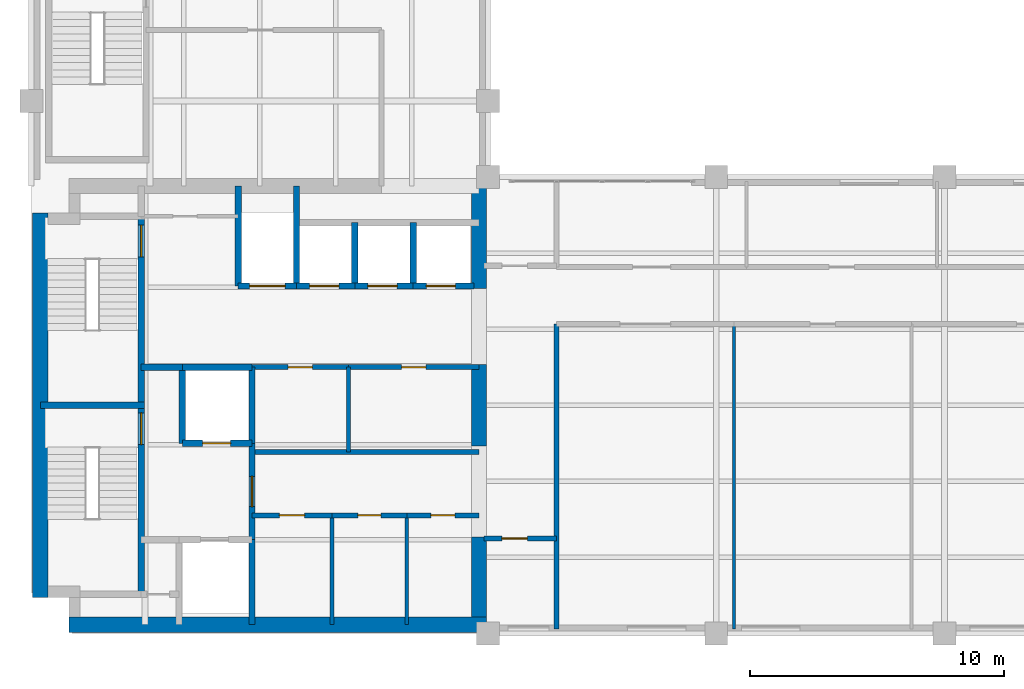
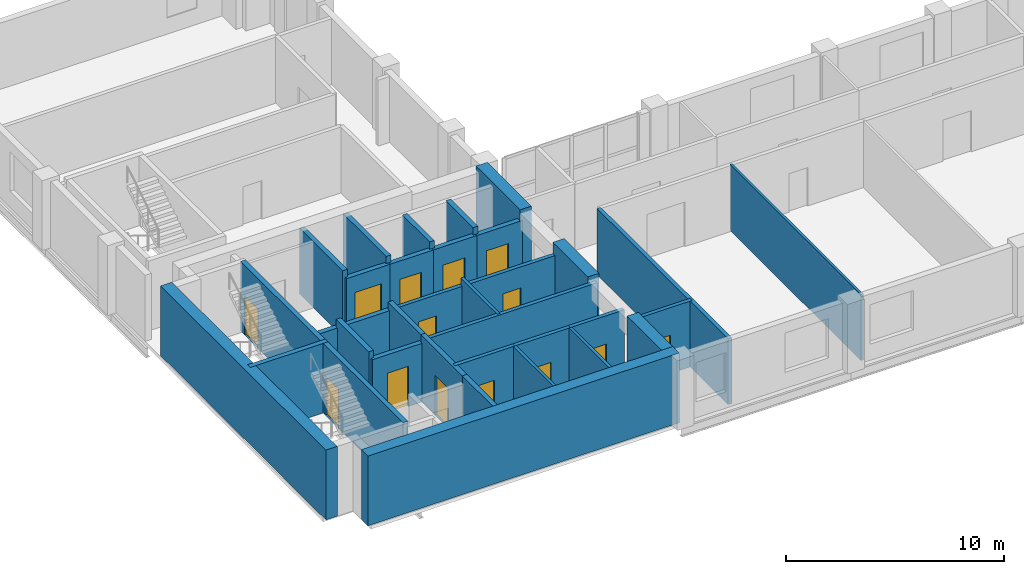
# One storey, part 4 of 7: 35 walls, 14 doors, 14 openings.
"""IFC4 building model written with IfcOpenShell, lengths in metres."""

import ifcopenshell
import ifcopenshell.guid

model = None  # the IFC model being written
_history = None  # IfcOwnerHistory: only IFC2X3 demands one
_inside = {}  # id of a spatial element -> (the spatial element, [elements in it])
_under = {}  # id of a project, library or spatial element -> (it, [spatial elements below it])
_declared = {}  # id of a project -> (the project, [libraries it declares])
_typed = {}  # id of a type object -> (the type object, [elements of that type])
_made_of = {}  # id of a material, layer set ... -> (it, [elements and type objects made of it])


def new_model(schema):
    """Start an empty IFC model of exactly this schema.

    Asked for "IFC4X3", IfcOpenShell would pick the latest addendum, in which some entities
    have other attributes; the version numbers below select the first issue.
    IFC2X3 requires an IfcOwnerHistory on every rooted entity: one is made here for all.
    """
    global model, _history
    if schema == "IFC4X3":
        model = ifcopenshell.file(schema_version=(4, 3, 0, 0))
    else:
        model = ifcopenshell.file(schema=schema)
    _inside.clear()
    _under.clear()
    _declared.clear()
    _typed.clear()
    _made_of.clear()
    _history = None
    if model.schema == "IFC2X3":
        org = make("IfcOrganization", Name="unknown")
        user = make(
            "IfcPersonAndOrganization",
            ThePerson=make("IfcPerson", FamilyName="unknown"),
            TheOrganization=org,
        )
        app = make(
            "IfcApplication",
            ApplicationDeveloper=org,
            Version="unknown",
            ApplicationFullName="unknown",
            ApplicationIdentifier="unknown",
        )
        _history = make(
            "IfcOwnerHistory",
            OwningUser=user,
            OwningApplication=app,
            ChangeAction="ADDED",
            CreationDate=0,
        )
    return model


def make(cls, **values):
    """One entity of the class cls with the attributes given. An attribute that is None is left unset."""
    return model.create_entity(
        cls, **{name: value for name, value in values.items() if value is not None}
    )


def rooted(cls, **values):
    """An entity with a GlobalId (a new one), such as an element, a storey or a relation."""
    return make(cls, GlobalId=ifcopenshell.guid.new(), OwnerHistory=_history, **values)


def si_unit(unit_type, name, prefix=None):
    """IfcSIUnit, for example si_unit("LENGTHUNIT", "METRE", prefix="MILLI")."""
    return make("IfcSIUnit", UnitType=unit_type, Prefix=prefix, Name=name)


def assignment(units):
    """IfcUnitAssignment: the units of a project."""
    return None if units is None else make("IfcUnitAssignment", Units=units)


def point(xyz):
    """IfcCartesianPoint."""
    return None if xyz is None else make("IfcCartesianPoint", Coordinates=xyz)


def direction(xyz):
    """IfcDirection."""
    return None if xyz is None else make("IfcDirection", DirectionRatios=xyz)


def frame(location, z_axis=None, x_axis=None):
    """IfcAxis2Placement3D, a coordinate frame: its origin and axes. An axis left out is left unset."""
    return make(
        "IfcAxis2Placement3D",
        Location=point(location),
        Axis=direction(z_axis),
        RefDirection=direction(x_axis),
    )


def frame_2d(location, x_axis=None):
    """IfcAxis2Placement2D, a coordinate frame in the plane: its origin and x axis."""
    return make(
        "IfcAxis2Placement2D", Location=point(location), RefDirection=direction(x_axis)
    )


def origin():
    """The frame at (0, 0, 0) with its axes left unset."""
    return frame((0.0, 0.0, 0.0))


def place(relative_to, where):
    """IfcLocalPlacement: puts the frame where relative to a parent placement (None: the world)."""
    return make(
        "IfcLocalPlacement", PlacementRelTo=relative_to, RelativePlacement=where
    )


def context(
    kind, dimensions, precision=None, world=None, true_north=None, identifier=None
):
    """IfcGeometricRepresentationContext, for example the 3D "Model" context."""
    return make(
        "IfcGeometricRepresentationContext",
        ContextIdentifier=identifier,
        ContextType=kind,
        CoordinateSpaceDimension=dimensions,
        Precision=precision,
        WorldCoordinateSystem=world,
        TrueNorth=true_north,
    )


def subcontext(parent, identifier, kind, view, scale=None):
    """IfcGeometricRepresentationSubContext, for example "Body" below "Model"."""
    return make(
        "IfcGeometricRepresentationSubContext",
        ContextIdentifier=identifier,
        ContextType=kind,
        ParentContext=parent,
        TargetScale=scale,
        TargetView=view,
    )


def project(units=None, contexts=None):
    """IfcProject with its units and contexts."""
    return rooted(
        "IfcProject",
        Name="project",
        RepresentationContexts=contexts,
        UnitsInContext=assignment(units),
    )


def spatial(cls, under=None, at=None, **own):
    """A site, building, storey or space (cls), placed at a placement, below another one or the project."""
    s = rooted(cls, ObjectPlacement=at, **own)
    if under is not None:
        _under.setdefault(under.id(), (under, []))[1].append(s)
    return s


def profile(cls, at=None, kind="AREA", **sizes):
    """A parametric profile (cls). Its sizes go by their IFC names, for example OverallWidth=200.0."""
    return make(cls, ProfileType=kind, Position=at, **sizes)


def rectangle(**sizes):
    """IfcRectangleProfileDef."""
    return profile("IfcRectangleProfileDef", **sizes)


def extrude(swept, where, along, depth):
    """IfcExtrudedAreaSolid: the profile swept, set in the frame where, extruded along a direction by depth."""
    return make(
        "IfcExtrudedAreaSolid",
        SweptArea=swept,
        Position=where,
        ExtrudedDirection=direction(along),
        Depth=depth,
    )


def shape(context_of_items, identifier, shape_type, items):
    """IfcShapeRepresentation: the items that make up one representation, for example the "Body"."""
    return make(
        "IfcShapeRepresentation",
        ContextOfItems=context_of_items,
        RepresentationIdentifier=identifier,
        RepresentationType=shape_type,
        Items=items,
    )


def material(Name=None, Category=None):
    """IfcMaterial."""
    return make("IfcMaterial", Name=Name, Category=Category)


def layer(
    of_material, thickness, ventilated=None, Name=None, Category=None, Priority=None
):
    """IfcMaterialLayer: one layer of a wall or slab, of a material (None: an air gap)."""
    return make(
        "IfcMaterialLayer",
        Material=of_material,
        LayerThickness=thickness,
        IsVentilated=ventilated,
        Name=Name,
        Category=Category,
        Priority=Priority,
    )


def layer_set(layers, Name=None):
    """IfcMaterialLayerSet."""
    return make("IfcMaterialLayerSet", MaterialLayers=layers, LayerSetName=Name)


def made_of(thing, what):
    """Note that an element or type object is made of a material, layer set ...; save() writes the relation."""
    if what is not None:
        _made_of.setdefault(what.id(), (what, []))[1].append(thing)
    return thing


def type_object(cls, material=None, **own):
    """A type object (cls), such as IfcWallType, which elements share."""
    return made_of(rooted(cls, **own), material)


def element(
    cls,
    number,
    at=None,
    inside=None,
    cuts=None,
    type_object=None,
    material=None,
    context=None,
    identifier="Body",
    shape_type=None,
    held_by="IfcProductDefinitionShape",
    body=None,
    shapes=None,
    **own,
):
    """One element of the class cls, such as IfcWall. Its Tag is "e" and its number.

    at: its placement. inside: the storey or other place that contains it. cuts: it is an
    opening in that element (IfcRelVoidsElement). A single representation is given by context,
    identifier, shape_type and body (its items); several are given by shapes. held_by: the class
    of the entity that holds the representations. save() writes the other relations.
    """
    e = rooted(cls, Tag="e%d" % number, ObjectPlacement=at, **own)
    if body is not None:
        shapes = [shape(context, identifier, shape_type, body)]
    if shapes is not None:
        e.Representation = make(held_by, Representations=shapes)
    if inside is not None:
        _inside.setdefault(inside.id(), (inside, []))[1].append(e)
    if cuts is not None:
        rooted(
            "IfcRelVoidsElement", RelatingBuildingElement=cuts, RelatedOpeningElement=e
        )
    if type_object is not None:
        _typed.setdefault(type_object.id(), (type_object, []))[1].append(e)
    return made_of(e, material)


def fill(opening, filler):
    """IfcRelFillsElement: the door or window that sits in an opening."""
    return rooted(
        "IfcRelFillsElement",
        RelatingOpeningElement=opening,
        RelatedBuildingElement=filler,
    )


def aggregate(whole, parts):
    """IfcRelAggregates: a whole, such as a stair, and the parts it consists of."""
    return rooted("IfcRelAggregates", RelatingObject=whole, RelatedObjects=parts)


def save(model, path):
    """Write the relations noted so far, then the file.

    IfcRelAggregates (storeys below a building ...), IfcRelContainedInSpatialStructure (elements
    in a storey), IfcRelDefinesByType, IfcRelAssociatesMaterial and IfcRelDeclares: one each for
    every whole, place, type object, material and project.
    """
    for whole, parts in _under.values():
        aggregate(whole, parts)
    for where, things in _inside.values():
        rooted(
            "IfcRelContainedInSpatialStructure",
            RelatedElements=things,
            RelatingStructure=where,
        )
    for kind, things in _typed.values():
        rooted("IfcRelDefinesByType", RelatedObjects=things, RelatingType=kind)
    for what, things in _made_of.values():
        rooted("IfcRelAssociatesMaterial", RelatedObjects=things, RelatingMaterial=what)
    for by, libraries in _declared.values():
        rooted("IfcRelDeclares", RelatingContext=by, RelatedDefinitions=libraries)
    model.write(path)


model = new_model("IFC4")

# Units and contexts
model_context = context("Model", 3, precision=1e-05, world=origin(), true_north=direction((0.0, 1.0)))
body_context = subcontext(model_context, "Body", "Model", "MODEL_VIEW")
ifc_project = project(units=[si_unit("LENGTHUNIT", "METRE"), si_unit("AREAUNIT", "SQUARE_METRE"), si_unit("VOLUMEUNIT", "CUBIC_METRE"), si_unit("PLANEANGLEUNIT", "RADIAN"), si_unit("MASSUNIT", "GRAM", prefix="KILO")], contexts=[model_context])

# Site, building, storey
site_placement = place(None, origin())
site = spatial("IfcSite", under=ifc_project, at=site_placement, CompositionType="ELEMENT")
building_placement = place(site_placement, origin())
building = spatial("IfcBuilding", under=site, at=building_placement, Name="Mawjdan Bourse Tower", CompositionType="ELEMENT")
storey_placement = place(building_placement, frame((0.0, 0.0, 203.39990234375)))
storey = spatial("IfcBuildingStorey", under=building, at=storey_placement, Name="L49", CompositionType="ELEMENT", Elevation=203.39990234375)

# Wall, opening, door
ifc_material_1 = material(Name="Gypsum Fireboard Assembly")
ifc_layer_1 = layer(ifc_material_1, 0.199951171875)
ifc_layer_set_1 = layer_set([ifc_layer_1], Name="Gypsum Fireboard Assembly")
wall_type_1 = type_object("IfcWallType", Name="WL-CMP-200", PredefinedType="PARTITIONING", material=ifc_layer_set_1)
wall_1_placement = place(storey_placement, frame((14.699951171875, 7.659912109375, 0.0), z_axis=(0.0, 0.0, 1.0), x_axis=(1.0, 0.0, 0.0)))
wall_1 = element("IfcWall", 1, at=wall_1_placement, inside=storey, type_object=wall_type_1, Name="L49 Prayer & Quiet Reflection Room North Wall", PredefinedType="PARTITIONING", context=body_context, shape_type="SweptSolid", body=[
    extrude(rectangle(XDim=3.150146484375, YDim=0.199951171875, at=frame_2d((1.5751953125, 0.0))), origin(), (0.0, 0.0, 1.0), 3.690185546875),
])
opening_1_placement = place(wall_1_placement, frame((1.074951171875, 0.0, 0.0)))
opening_1 = element("IfcOpeningElement", 2, at=opening_1_placement, cuts=wall_1, Name="Opening D-L49-13", PredefinedType="OPENING", context=body_context, shape_type="SweptSolid", body=[
    extrude(rectangle(XDim=1.0, YDim=2.14990234375, at=frame_2d((0.5, 1.074951171875))), frame((0.0, 0.10986328125, 0.0), z_axis=(0.0, -1.0, 0.0), x_axis=(1.0, 0.0, 0.0)), (0.0, 0.0, 1.0), 0.219970703125),
])
ifc_material_2 = material(Name="Hardwood Acoustic Leaf", Category="wood")
door_type_1 = type_object("IfcDoorType", Name="DR-OFC-1000", OperationType="NOTDEFINED", PredefinedType="DOOR", material=ifc_material_2)
door_1_placement = place(opening_1_placement, origin())
door_1 = element("IfcDoor", 3, at=door_1_placement, inside=storey, type_object=door_type_1, Name="L49 Prayer & Quiet Reflection Room Door D-L49-13", OperationType="SINGLE_SWING_RIGHT", OverallHeight=2.14990234375, OverallWidth=1.0, PredefinedType="DOOR", context=body_context, shape_type="SweptSolid", body=[
    extrude(rectangle(XDim=1.0, YDim=2.14990234375, at=frame_2d((0.5, 1.074951171875))), frame((0.0, 0.02490234375, 0.0), z_axis=(0.0, -1.0, 0.0), x_axis=(1.0, 0.0, 0.0)), (0.0, 0.0, 1.0), 0.050048828125),
])
fill(opening_1, door_1)

wall_2_placement = place(storey_placement, frame((17.85009765625, 7.659912109375, 0.0), z_axis=(0.0, 0.0, 1.0), x_axis=(1.0, 0.0, 0.0)))
wall_2 = element("IfcWall", 4, at=wall_2_placement, inside=storey, type_object=wall_type_1, Name="L49 Electrical Switchboard Room North Wall", PredefinedType="PARTITIONING", context=body_context, shape_type="SweptSolid", body=[
    extrude(rectangle(XDim=2.949951171875, YDim=0.199951171875, at=frame_2d((1.47509765625, 0.0))), origin(), (0.0, 0.0, 1.0), 3.690185546875),
])
opening_2_placement = place(wall_2_placement, frame((1.02490234375, 0.0, 0.0)))
opening_2 = element("IfcOpeningElement", 5, at=opening_2_placement, cuts=wall_2, Name="Opening D-L49-14", PredefinedType="OPENING", context=body_context, shape_type="SweptSolid", body=[
    extrude(rectangle(XDim=0.89990234375, YDim=2.10009765625, at=frame_2d((0.449951171875, 1.050048828125))), frame((0.0, 0.10986328125, 0.0), z_axis=(0.0, -1.0, 0.0), x_axis=(1.0, 0.0, 0.0)), (0.0, 0.0, 1.0), 0.219970703125),
])
ifc_material_3 = material(Name="Fire-Rated Steel Access Leaf", Category="steel")
door_type_2 = type_object("IfcDoorType", Name="FD-RSR-0900", OperationType="NOTDEFINED", PredefinedType="TRAPDOOR", material=ifc_material_3)
door_2_placement = place(opening_2_placement, origin())
door_2 = element("IfcDoor", 6, at=door_2_placement, inside=storey, type_object=door_type_2, Name="L49 Electrical Switchboard Room Door D-L49-14", OperationType="SINGLE_SWING_LEFT", OverallHeight=2.10009765625, OverallWidth=0.89990234375, PredefinedType="TRAPDOOR", context=body_context, shape_type="SweptSolid", body=[
    extrude(rectangle(XDim=0.89990234375, YDim=2.10009765625, at=frame_2d((0.449951171875, 1.050048828125))), frame((0.0, 0.02490234375, 0.0), z_axis=(0.0, -1.0, 0.0), x_axis=(1.0, 0.0, 0.0)), (0.0, 0.0, 1.0), 0.050048828125),
])
fill(opening_2, door_2)

wall_3_placement = place(storey_placement, frame((20.800048828125, 7.659912109375, 0.0), z_axis=(0.0, 0.0, 1.0), x_axis=(1.0, 0.0, 0.0)))
wall_3 = element("IfcWall", 7, at=wall_3_placement, inside=storey, type_object=wall_type_1, Name="L49 Staff Beverage Pantry North Wall", PredefinedType="PARTITIONING", context=body_context, shape_type="SweptSolid", body=[
    extrude(rectangle(XDim=2.849853515625, YDim=0.199951171875, at=frame_2d((1.4248046875, 0.0))), origin(), (0.0, 0.0, 1.0), 3.690185546875),
])
opening_3_placement = place(wall_3_placement, frame((0.949951171875, 0.0, 0.0)))
opening_3 = element("IfcOpeningElement", 8, at=opening_3_placement, cuts=wall_3, Name="Opening D-L49-15", PredefinedType="OPENING", context=body_context, shape_type="SweptSolid", body=[
    extrude(rectangle(XDim=0.949951171875, YDim=2.10009765625, at=frame_2d((0.47509765625, 1.050048828125))), frame((0.0, 0.10986328125, 0.0), z_axis=(0.0, -1.0, 0.0), x_axis=(1.0, 0.0, 0.0)), (0.0, 0.0, 1.0), 0.219970703125),
])
ifc_material_4 = material(Name="Moisture-Resistant Laminate Timber", Category="wood")
door_type_3 = type_object("IfcDoorType", Name="DR-WET-0950", OperationType="NOTDEFINED", PredefinedType="DOOR", material=ifc_material_4)
door_3_placement = place(opening_3_placement, origin())
door_3 = element("IfcDoor", 9, at=door_3_placement, inside=storey, type_object=door_type_3, Name="L49 Staff Beverage Pantry Door D-L49-15", OperationType="SINGLE_SWING_RIGHT", OverallHeight=2.10009765625, OverallWidth=0.949951171875, PredefinedType="DOOR", context=body_context, shape_type="SweptSolid", body=[
    extrude(rectangle(XDim=0.949951171875, YDim=2.10009765625, at=frame_2d((0.47509765625, 1.050048828125))), frame((0.0, 0.02490234375, 0.0), z_axis=(0.0, -1.0, 0.0), x_axis=(1.0, 0.0, 0.0)), (0.0, 0.0, 1.0), 0.050048828125),
])
fill(opening_3, door_3)

# Wall
wall_4_placement = place(storey_placement, frame((14.824951171875, 10.14990234375, 0.0), z_axis=(0.0, 0.0, 1.0), x_axis=(1.0, 0.0, 0.0)))
element("IfcWall", 10, at=wall_4_placement, inside=storey, type_object=wall_type_1, Name="L49 Core Restroom Suite South Wall", PredefinedType="PARTITIONING", context=body_context, shape_type="SweptSolid", body=[
    extrude(rectangle(XDim=8.824951171875, YDim=0.199951171875, at=frame_2d((4.41259765625, 0.0))), origin(), (0.0, 0.0, 1.0), 3.690185546875),
])

# Wall, opening, door
wall_5_placement = place(storey_placement, frame((14.699951171875, 13.5, 0.0), z_axis=(0.0, 0.0, 1.0), x_axis=(1.0, 0.0, 0.0)))
wall_5 = element("IfcWall", 11, at=wall_5_placement, inside=storey, type_object=wall_type_1, Name="L49 Accessible WC North Wall", PredefinedType="PARTITIONING", context=body_context, shape_type="SweptSolid", body=[
    extrude(rectangle(XDim=3.800048828125, YDim=0.199951171875, at=frame_2d((1.89990234375, 0.0))), origin(), (0.0, 0.0, 1.0), 3.283203125),
])
opening_4_placement = place(wall_5_placement, frame((1.425048828125, 0.0, 0.0)))
opening_4 = element("IfcOpeningElement", 12, at=opening_4_placement, cuts=wall_5, Name="Opening D-L49-16", PredefinedType="OPENING", context=body_context, shape_type="SweptSolid", body=[
    extrude(rectangle(XDim=0.949951171875, YDim=2.10009765625, at=frame_2d((0.47509765625, 1.050048828125))), frame((0.0, 0.10986328125, 0.0), z_axis=(0.0, -1.0, 0.0), x_axis=(1.0, 0.0, 0.0)), (0.0, 0.0, 1.0), 0.219970703125),
])
door_4_placement = place(opening_4_placement, origin())
door_4 = element("IfcDoor", 13, at=door_4_placement, inside=storey, type_object=door_type_3, Name="L49 Accessible WC Door D-L49-16", OperationType="SINGLE_SWING_LEFT", OverallHeight=2.10009765625, OverallWidth=0.949951171875, PredefinedType="DOOR", context=body_context, shape_type="SweptSolid", body=[
    extrude(rectangle(XDim=0.949951171875, YDim=2.10009765625, at=frame_2d((0.47509765625, 1.050048828125))), frame((0.0, 0.02490234375, 0.0), z_axis=(0.0, -1.0, 0.0), x_axis=(1.0, 0.0, 0.0)), (0.0, 0.0, 1.0), 0.050048828125),
])
fill(opening_4, door_4)

wall_6_placement = place(storey_placement, frame((18.5, 13.5, 0.0), z_axis=(0.0, 0.0, 1.0), x_axis=(1.0, 0.0, 0.0)))
wall_6 = element("IfcWall", 14, at=wall_6_placement, inside=storey, type_object=wall_type_1, Name="L49 Female Restroom North Wall", PredefinedType="PARTITIONING", context=body_context, shape_type="SweptSolid", body=[
    extrude(rectangle(XDim=5.14990234375, YDim=0.199951171875, at=frame_2d((2.574951171875, 0.0))), origin(), (0.0, 0.0, 1.0), 3.283203125),
])
opening_5_placement = place(wall_6_placement, frame((2.10009765625, 0.0, 0.0)))
opening_5 = element("IfcOpeningElement", 15, at=opening_5_placement, cuts=wall_6, Name="Opening D-L49-17", PredefinedType="OPENING", context=body_context, shape_type="SweptSolid", body=[
    extrude(rectangle(XDim=0.949951171875, YDim=2.10009765625, at=frame_2d((0.47509765625, 1.050048828125))), frame((0.0, 0.10986328125, 0.0), z_axis=(0.0, -1.0, 0.0), x_axis=(1.0, 0.0, 0.0)), (0.0, 0.0, 1.0), 0.219970703125),
])
door_5_placement = place(opening_5_placement, origin())
door_5 = element("IfcDoor", 16, at=door_5_placement, inside=storey, type_object=door_type_3, Name="L49 Female Restroom Door D-L49-17", OperationType="SINGLE_SWING_RIGHT", OverallHeight=2.10009765625, OverallWidth=0.949951171875, PredefinedType="DOOR", context=body_context, shape_type="SweptSolid", body=[
    extrude(rectangle(XDim=0.949951171875, YDim=2.10009765625, at=frame_2d((0.47509765625, 1.050048828125))), frame((0.0, 0.02490234375, 0.0), z_axis=(0.0, -1.0, 0.0), x_axis=(1.0, 0.0, 0.0)), (0.0, 0.0, 1.0), 0.050048828125),
])
fill(opening_5, door_5)

wall_7_placement = place(storey_placement, frame((23.85009765625, 6.75, 0.0), z_axis=(0.0, 0.0, 1.0), x_axis=(1.0, 0.0, 0.0)))
wall_7 = element("IfcWall", 17, at=wall_7_placement, inside=storey, type_object=wall_type_1, Name="L49 West Pocket North Wall", PredefinedType="PARTITIONING", context=body_context, shape_type="SweptSolid", body=[
    extrude(rectangle(XDim=2.849853515625, YDim=0.199951171875, at=frame_2d((1.4248046875, 0.0))), origin(), (0.0, 0.0, 1.0), 3.690185546875),
])
opening_6_placement = place(wall_7_placement, frame((0.699951171875, 0.0, 0.0)))
opening_6 = element("IfcOpeningElement", 18, at=opening_6_placement, cuts=wall_7, Name="Opening D-L49-20", PredefinedType="OPENING", context=body_context, shape_type="SweptSolid", body=[
    extrude(rectangle(XDim=1.0, YDim=2.14990234375, at=frame_2d((0.5, 1.074951171875))), frame((0.0, 0.10986328125, 0.0), z_axis=(0.0, -1.0, 0.0), x_axis=(1.0, 0.0, 0.0)), (0.0, 0.0, 1.0), 0.219970703125),
])
door_6_placement = place(opening_6_placement, origin())
door_6 = element("IfcDoor", 19, at=door_6_placement, inside=storey, type_object=door_type_1, Name="L49 West Pocket Office Door D-L49-20", OperationType="SINGLE_SWING_LEFT", OverallHeight=2.14990234375, OverallWidth=1.0, PredefinedType="DOOR", context=body_context, shape_type="SweptSolid", body=[
    extrude(rectangle(XDim=1.0, YDim=2.14990234375, at=frame_2d((0.5, 1.074951171875))), frame((0.0, 0.02490234375, 0.0), z_axis=(0.0, -1.0, 0.0), x_axis=(1.0, 0.0, 0.0)), (0.0, 0.0, 1.0), 0.050048828125),
])
fill(opening_6, door_6)

# Walls
wall_8_placement = place(storey_placement, frame((26.699951171875, 3.179931640625, 0.0), z_axis=(0.0, 0.0, 1.0), x_axis=(0.0, 1.0, 0.0)))
element("IfcWall", 20, at=wall_8_placement, inside=storey, type_object=wall_type_1, Name="L49 Vestibule South East Wall", PredefinedType="PARTITIONING", context=body_context, shape_type="SweptSolid", body=[
    extrude(rectangle(XDim=12.02001953125, YDim=0.199951171875, at=frame_2d((6.010009765625, 0.0))), origin(), (0.0, 0.0, 1.0), 3.690185546875),
])
ifc_material_5 = material(Name="Concrete C70/85", Category="concrete")
ifc_layer_2 = layer(ifc_material_5, 0.60009765625)
ifc_layer_set_2 = layer_set([ifc_layer_2], Name="Concrete C70/85")
wall_type_2 = type_object("IfcWallType", Name="WL-CORE-600", PredefinedType="SHEAR", material=ifc_layer_set_2)
wall_9_placement = place(storey_placement, frame((7.47509765625, 3.35009765625, 0.0), z_axis=(0.0, 0.0, 1.0), x_axis=(1.0, 0.0, 0.0)))
element("IfcWall", 21, at=wall_9_placement, inside=storey, type_object=wall_type_2, Name="L49 Rear Core Shear Wall S", PredefinedType="SHEAR", context=body_context, shape_type="SweptSolid", body=[
    extrude(rectangle(XDim=16.474853515625, YDim=0.60009765625, at=frame_2d((8.2373046875, 0.0))), origin(), (0.0, 0.0, 1.0), 3.900146484375),
])
wall_10_placement = place(storey_placement, frame((6.35009765625, 4.425048828125, 0.0), z_axis=(0.0, 0.0, 1.0), x_axis=(0.0, 1.0, 0.0)))
element("IfcWall", 22, at=wall_10_placement, inside=storey, type_object=wall_type_2, Name="L49 Rear Core Shear Wall W", PredefinedType="SHEAR", context=body_context, shape_type="SweptSolid", body=[
    extrude(rectangle(XDim=15.14990234375, YDim=0.60009765625, at=frame_2d((7.574951171875, 0.0))), origin(), (0.0, 0.0, 1.0), 3.900146484375),
])
wall_11_placement = place(storey_placement, frame((23.64990234375, 3.64990234375, 0.0), z_axis=(0.0, 0.0, 1.0), x_axis=(0.0, 1.0, 0.0)))
element("IfcWall", 23, at=wall_11_placement, inside=storey, type_object=wall_type_2, Name="L49 Rear Core Shear Wall E1", PredefinedType="SHEAR", context=body_context, shape_type="SweptSolid", body=[
    extrude(rectangle(XDim=3.150146484375, YDim=0.60009765625, at=frame_2d((1.5751953125, 0.0))), origin(), (0.0, 0.0, 1.0), 3.900146484375),
])
wall_12_placement = place(storey_placement, frame((23.64990234375, 10.39990234375, 0.0), z_axis=(0.0, 0.0, 1.0), x_axis=(0.0, 1.0, 0.0)))
element("IfcWall", 24, at=wall_12_placement, inside=storey, type_object=wall_type_2, Name="L49 Rear Core Shear Wall E2", PredefinedType="SHEAR", context=body_context, shape_type="SweptSolid", body=[
    extrude(rectangle(XDim=3.2001953125, YDim=0.60009765625, at=frame_2d((1.60009765625, 0.0))), origin(), (0.0, 0.0, 1.0), 3.900146484375),
])
wall_13_placement = place(storey_placement, frame((23.64990234375, 16.60009765625, 0.0), z_axis=(0.0, 0.0, 1.0), x_axis=(0.0, 1.0, 0.0)))
element("IfcWall", 25, at=wall_13_placement, inside=storey, type_object=wall_type_2, Name="L49 Rear Core Shear Wall E3", PredefinedType="SHEAR", context=body_context, shape_type="SweptSolid", body=[
    extrude(rectangle(XDim=4.0498046875, YDim=0.60009765625, at=frame_2d((2.02490234375, 0.0))), origin(), (0.0, 0.0, 1.0), 3.900146484375),
])
ifc_material_6 = material(Name="Gypsum Partition")
ifc_layer_3 = layer(ifc_material_6, 0.125)
ifc_layer_set_3 = layer_set([ifc_layer_3], Name="Gypsum Partition")
wall_type_3 = type_object("IfcWallType", Name="WL-PRT-125", PredefinedType="PARTITIONING", material=ifc_layer_set_3)
wall_14_placement = place(storey_placement, frame((33.699951171875, 3.179931640625, 0.0), z_axis=(0.0, 0.0, 1.0), x_axis=(0.0, 1.0, 0.0)))
element("IfcWall", 26, at=wall_14_placement, inside=storey, type_object=wall_type_3, Name="L49 Executive Office Partition", PredefinedType="PARTITIONING", context=body_context, shape_type="SweptSolid", body=[
    extrude(rectangle(XDim=12.02001953125, YDim=0.125, at=frame_2d((6.010009765625, 0.0))), origin(), (0.0, 0.0, 1.0), 3.690185546875),
])
ifc_material_7 = material(Name="Gypsum Acoustic Partition")
ifc_layer_4 = layer(ifc_material_7, 0.14990234375)
ifc_layer_set_4 = layer_set([ifc_layer_4], Name="Gypsum Acoustic Partition")
wall_type_4 = type_object("IfcWallType", Name="WL-PRT-150", PredefinedType="PARTITIONING", material=ifc_layer_set_4)
for number, where, z_axis, x_axis, name in (
    (27, (17.85009765625, 3.35009765625, 0.0), (0.0, 0.0, 1.0), (0.0, 1.0, 0.0), "L49 Electrical Switchboard Room Core Split Wall"),
    (28, (20.800048828125, 3.35009765625, 0.0), (0.0, 0.0, 1.0), (0.0, 1.0, 0.0), "L49 Staff Beverage Pantry Core Split Wall"),
):
    element("IfcWall", number, at=place(storey_placement, frame(where, z_axis=z_axis, x_axis=x_axis)), inside=storey, type_object=wall_type_4, Name=name, PredefinedType="PARTITIONING", context=body_context, shape_type="SweptSolid", body=[
        extrude(rectangle(XDim=4.309814453125, YDim=0.14990234375, at=frame_2d((2.15478515625, 0.0))), origin(), (0.0, 0.0, 1.0), 3.690185546875),
    ])
wall_15_placement = place(storey_placement, frame((18.5, 10.14990234375, 0.0), z_axis=(0.0, 0.0, 1.0), x_axis=(0.0, 1.0, 0.0)))
element("IfcWall", 29, at=wall_15_placement, inside=storey, type_object=wall_type_4, Name="L49 Female Restroom Split Wall", PredefinedType="PARTITIONING", context=body_context, shape_type="SweptSolid", body=[
    extrude(rectangle(XDim=3.35009765625, YDim=0.14990234375, at=frame_2d((1.675048828125, 0.0))), origin(), (0.0, 0.0, 1.0), 3.690185546875),
])
ifc_material_8 = material(Name="Concrete C50/60", Category="concrete")
ifc_layer_5 = layer(ifc_material_8, 0.25)
ifc_layer_set_5 = layer_set([ifc_layer_5], Name="Concrete C50/60")
wall_type_5 = type_object("IfcWallType", Name="WL-SHFT-250", PredefinedType="PARTITIONING", material=ifc_layer_set_5)
wall_16_placement = place(storey_placement, frame((14.699951171875, 3.35009765625, 0.0), z_axis=(0.0, 0.0, 1.0), x_axis=(0.0, 1.0, 0.0)))
element("IfcWall", 30, at=wall_16_placement, inside=storey, type_object=wall_type_5, Name="L49 FFL-01 East Shaft Wall", PredefinedType="PARTITIONING", context=body_context, shape_type="SweptSolid", body=[
    extrude(rectangle(XDim=3.349853515625, YDim=0.25, at=frame_2d((1.6748046875, 0.0))), origin(), (0.0, 0.0, 1.0), 3.690185546875),
])

# Wall, opening, door
wall_17_placement = place(storey_placement, frame((11.949951171875, 10.5, 0.0), z_axis=(0.0, 0.0, 1.0), x_axis=(1.0, 0.0, 0.0)))
wall_17 = element("IfcWall", 31, at=wall_17_placement, inside=storey, type_object=wall_type_5, Name="L49 FFL-02 Front Shaft Wall", PredefinedType="PARTITIONING", context=body_context, shape_type="SweptSolid", body=[
    extrude(rectangle(XDim=2.75, YDim=0.25, at=frame_2d((1.375, 0.0))), origin(), (0.0, 0.0, 1.0), 3.283203125),
])
opening_7_placement = place(wall_17_placement, frame((0.800048828125, 0.0, 0.0)))
opening_7 = element("IfcOpeningElement", 32, at=opening_7_placement, cuts=wall_17, Name="Opening LD-L49-06", PredefinedType="OPENING", context=body_context, shape_type="SweptSolid", body=[
    extrude(rectangle(XDim=1.10009765625, YDim=2.25, at=frame_2d((0.550048828125, 1.125))), frame((0.0, 0.135009765625, 0.0), z_axis=(0.0, -1.0, 0.0), x_axis=(1.0, 0.0, 0.0)), (0.0, 0.0, 1.0), 0.27001953125),
])
ifc_material_9 = material(Name="Brushed Stainless Steel", Category="steel")
door_type_4 = type_object("IfcDoorType", Name="LD-FFL-1100", OperationType="DOUBLE_DOOR_SLIDING", PredefinedType="DOOR", material=ifc_material_9)
door_7_placement = place(opening_7_placement, origin())
door_7 = element("IfcDoor", 33, at=door_7_placement, inside=storey, type_object=door_type_4, Name="L49 Firefighting Lift FFL-02 Landing Door LD-L49-06", OperationType="DOUBLE_DOOR_SLIDING", OverallHeight=2.25, OverallWidth=1.10009765625, PredefinedType="DOOR", context=body_context, shape_type="SweptSolid", body=[
    extrude(rectangle(XDim=1.10009765625, YDim=2.25, at=frame_2d((0.550048828125, 1.125))), frame((0.0, 0.02490234375, 0.0), z_axis=(0.0, -1.0, 0.0), x_axis=(1.0, 0.0, 0.0)), (0.0, 0.0, 1.0), 0.050048828125),
])
fill(opening_7, door_7)

# Walls
wall_18_placement = place(storey_placement, frame((11.949951171875, 10.5, 0.0), z_axis=(0.0, 0.0, 1.0), x_axis=(0.0, 1.0, 0.0)))
element("IfcWall", 34, at=wall_18_placement, inside=storey, type_object=wall_type_5, Name="L49 FFL-02 West Shaft Wall", PredefinedType="PARTITIONING", context=body_context, shape_type="SweptSolid", body=[
    extrude(rectangle(XDim=3.0, YDim=0.25, at=frame_2d((1.5, 0.0))), origin(), (0.0, 0.0, 1.0), 3.690185546875),
])
wall_19_placement = place(storey_placement, frame((11.949951171875, 13.5, 0.0), z_axis=(0.0, 0.0, 1.0), x_axis=(1.0, 0.0, 0.0)))
element("IfcWall", 35, at=wall_19_placement, inside=storey, type_object=wall_type_5, Name="L49 FFL-02 North Shaft Wall", PredefinedType="PARTITIONING", context=body_context, shape_type="SweptSolid", body=[
    extrude(rectangle(XDim=2.75, YDim=0.25, at=frame_2d((1.375, 0.0))), origin(), (0.0, 0.0, 1.0), 3.283203125),
])
wall_20_placement = place(storey_placement, frame((14.699951171875, 10.5, 0.0), z_axis=(0.0, 0.0, 1.0), x_axis=(0.0, 1.0, 0.0)))
element("IfcWall", 36, at=wall_20_placement, inside=storey, type_object=wall_type_5, Name="L49 FFL-02 East Shaft Wall", PredefinedType="PARTITIONING", context=body_context, shape_type="SweptSolid", body=[
    extrude(rectangle(XDim=3.0, YDim=0.25, at=frame_2d((1.5, 0.0))), origin(), (0.0, 0.0, 1.0), 3.690185546875),
])

# Wall, opening, door
wall_21_placement = place(storey_placement, frame((14.699951171875, 6.699951171875, 0.0), z_axis=(0.0, 0.0, 1.0), x_axis=(0.0, 1.0, 0.0)))
wall_21 = element("IfcWall", 37, at=wall_21_placement, inside=storey, type_object=wall_type_5, Name="L49 Firefighting Lobby East Compartment Wall", PredefinedType="PARTITIONING", context=body_context, shape_type="SweptSolid", body=[
    extrude(rectangle(XDim=3.800048828125, YDim=0.25, at=frame_2d((1.89990234375, 0.0))), origin(), (0.0, 0.0, 1.0), 3.690185546875),
])
opening_8_placement = place(wall_21_placement, frame((1.300048828125, 0.0, 0.0)))
opening_8 = element("IfcOpeningElement", 38, at=opening_8_placement, cuts=wall_21, Name="Opening FD-L49-07", PredefinedType="OPENING", context=body_context, shape_type="SweptSolid", body=[
    extrude(rectangle(XDim=1.199951171875, YDim=2.199951171875, at=frame_2d((0.60009765625, 1.10009765625))), frame((0.0, 0.135009765625, 0.0), z_axis=(0.0, -1.0, 0.0), x_axis=(1.0, 0.0, 0.0)), (0.0, 0.0, 1.0), 0.27001953125),
])
ifc_material_10 = material(Name="Fire-Rated Steel Leaf", Category="steel")
door_type_5 = type_object("IfcDoorType", Name="FD-FFL-1200", OperationType="NOTDEFINED", PredefinedType="DOOR", material=ifc_material_10)
door_8_placement = place(opening_8_placement, origin())
door_8 = element("IfcDoor", 39, at=door_8_placement, inside=storey, type_object=door_type_5, Name="L49 Firefighting Lobby East Smoke Door FD-L49-07", OperationType="SINGLE_SWING_RIGHT", OverallHeight=2.199951171875, OverallWidth=1.199951171875, PredefinedType="DOOR", context=body_context, shape_type="SweptSolid", body=[
    extrude(rectangle(XDim=1.199951171875, YDim=2.199951171875, at=frame_2d((0.60009765625, 1.10009765625))), frame((0.0, 0.02490234375, 0.0), z_axis=(0.0, -1.0, 0.0), x_axis=(1.0, 0.0, 0.0)), (0.0, 0.0, 1.0), 0.050048828125),
])
fill(opening_8, door_8)

# Wall
wall_22_placement = place(storey_placement, frame((10.330078125, 13.5, 0.0), z_axis=(0.0, 0.0, 1.0), x_axis=(1.0, 0.0, 0.0)))
element("IfcWall", 40, at=wall_22_placement, inside=storey, type_object=wall_type_5, Name="L49 Firefighting Lobby North Compartment Wall", PredefinedType="PARTITIONING", context=body_context, shape_type="SweptSolid", body=[
    extrude(rectangle(XDim=1.619873046875, YDim=0.25, at=frame_2d((0.81005859375, 0.0))), origin(), (0.0, 0.0, 1.0), 3.283203125),
])

# Wall, opening, door
wall_23_placement = place(storey_placement, frame((14.14990234375, 16.699951171875, 0.0), z_axis=(0.0, 0.0, 1.0), x_axis=(1.0, 0.0, 0.0)))
wall_23 = element("IfcWall", 41, at=wall_23_placement, inside=storey, type_object=wall_type_5, Name="L49 SVL-01 Front Shaft Wall", PredefinedType="PARTITIONING", context=body_context, shape_type="SweptSolid", body=[
    extrude(rectangle(XDim=2.300048828125, YDim=0.25, at=frame_2d((1.14990234375, 0.0))), origin(), (0.0, 0.0, 1.0), 3.283203125),
])
opening_9_placement = place(wall_23_placement, frame((0.449951171875, 0.0, 0.0)))
opening_9 = element("IfcOpeningElement", 42, at=opening_9_placement, cuts=wall_23, Name="Opening LD-L49-09", PredefinedType="OPENING", context=body_context, shape_type="SweptSolid", body=[
    extrude(rectangle(XDim=1.39990234375, YDim=2.35009765625, at=frame_2d((0.699951171875, 1.175048828125))), frame((0.0, 0.135009765625, 0.0), z_axis=(0.0, -1.0, 0.0), x_axis=(1.0, 0.0, 0.0)), (0.0, 0.0, 1.0), 0.27001953125),
])
ifc_material_11 = material(Name="Heavy-Duty Stainless Steel", Category="steel")
door_type_6 = type_object("IfcDoorType", Name="LD-SRV-1400", OperationType="DOUBLE_DOOR_SLIDING", PredefinedType="DOOR", material=ifc_material_11)
door_9_placement = place(opening_9_placement, origin())
door_9 = element("IfcDoor", 43, at=door_9_placement, inside=storey, type_object=door_type_6, Name="L49 Service Lift SVL-01 Landing Door LD-L49-09", OperationType="DOUBLE_DOOR_SLIDING", OverallHeight=2.35009765625, OverallWidth=1.39990234375, PredefinedType="DOOR", context=body_context, shape_type="SweptSolid", body=[
    extrude(rectangle(XDim=1.39990234375, YDim=2.35009765625, at=frame_2d((0.699951171875, 1.175048828125))), frame((0.0, 0.02490234375, 0.0), z_axis=(0.0, -1.0, 0.0), x_axis=(1.0, 0.0, 0.0)), (0.0, 0.0, 1.0), 0.050048828125),
])
fill(opening_9, door_9)

# Walls
for number, where, z_axis, x_axis, name in (
    (44, (14.14990234375, 16.699951171875, 0.0), (0.0, 0.0, 1.0), (0.0, 1.0, 0.0), "L49 SVL-01 West Shaft Wall"),
    (45, (16.449951171875, 16.699951171875, 0.0), (0.0, 0.0, 1.0), (0.0, 1.0, 0.0), "L49 SVL-01 East Shaft Wall"),
):
    element("IfcWall", number, at=place(storey_placement, frame(where, z_axis=z_axis, x_axis=x_axis)), inside=storey, type_object=wall_type_5, Name=name, PredefinedType="PARTITIONING", context=body_context, shape_type="SweptSolid", body=[
        extrude(rectangle(XDim=3.949951171875, YDim=0.25, at=frame_2d((1.97509765625, 0.0))), origin(), (0.0, 0.0, 1.0), 3.690185546875),
    ])

# Wall, opening, door
wall_24_placement = place(storey_placement, frame((16.449951171875, 16.699951171875, 0.0), z_axis=(0.0, 0.0, 1.0), x_axis=(1.0, 0.0, 0.0)))
wall_24 = element("IfcWall", 46, at=wall_24_placement, inside=storey, type_object=wall_type_5, Name="L49 PH-01 Front Wall", PredefinedType="PARTITIONING", context=body_context, shape_type="SweptSolid", body=[
    extrude(rectangle(XDim=2.300048828125, YDim=0.25, at=frame_2d((1.14990234375, 0.0))), origin(), (0.0, 0.0, 1.0), 3.283203125),
])
opening_10_placement = place(wall_24_placement, frame((0.52001953125, 0.0, 0.0)))
opening_10 = element("IfcOpeningElement", 47, at=opening_10_placement, cuts=wall_24, Name="Opening LD-L49-10", PredefinedType="OPENING", context=body_context, shape_type="SweptSolid", body=[
    extrude(rectangle(XDim=1.14990234375, YDim=2.25, at=frame_2d((0.574951171875, 1.125))), frame((0.0, 0.135009765625, 0.0), z_axis=(0.0, -1.0, 0.0), x_axis=(1.0, 0.0, 0.0)), (0.0, 0.0, 1.0), 0.27001953125),
])
door_type_7 = type_object("IfcDoorType", Name="LD-PAS-1150", OperationType="DOUBLE_DOOR_SLIDING", PredefinedType="DOOR", material=ifc_material_9)
door_10_placement = place(opening_10_placement, origin())
door_10 = element("IfcDoor", 48, at=door_10_placement, inside=storey, type_object=door_type_7, Name="L49 Lift PH-01 Landing Door LD-L49-10", OperationType="DOUBLE_DOOR_SLIDING", OverallHeight=2.25, OverallWidth=1.14990234375, PredefinedType="DOOR", context=body_context, shape_type="SweptSolid", body=[
    extrude(rectangle(XDim=1.14990234375, YDim=2.25, at=frame_2d((0.574951171875, 1.125))), frame((0.0, 0.02490234375, 0.0), z_axis=(0.0, -1.0, 0.0), x_axis=(1.0, 0.0, 0.0)), (0.0, 0.0, 1.0), 0.050048828125),
])
fill(opening_10, door_10)

# Wall
wall_25_placement = place(storey_placement, frame((18.75, 16.699951171875, 0.0), z_axis=(0.0, 0.0, 1.0), x_axis=(0.0, 1.0, 0.0)))
element("IfcWall", 49, at=wall_25_placement, inside=storey, type_object=wall_type_5, Name="L49 PH-01 Divider Wall", PredefinedType="PARTITIONING", context=body_context, shape_type="SweptSolid", body=[
    extrude(rectangle(XDim=2.5, YDim=0.25, at=frame_2d((1.25, 0.0))), origin(), (0.0, 0.0, 1.0), 3.690185546875),
])

# Wall, opening, door
wall_26_placement = place(storey_placement, frame((18.75, 16.699951171875, 0.0), z_axis=(0.0, 0.0, 1.0), x_axis=(1.0, 0.0, 0.0)))
wall_26 = element("IfcWall", 50, at=wall_26_placement, inside=storey, type_object=wall_type_5, Name="L49 PH-02 Front Wall", PredefinedType="PARTITIONING", context=body_context, shape_type="SweptSolid", body=[
    extrude(rectangle(XDim=2.300048828125, YDim=0.25, at=frame_2d((1.14990234375, 0.0))), origin(), (0.0, 0.0, 1.0), 3.283203125),
])
opening_11_placement = place(wall_26_placement, frame((0.52001953125, 0.0, 0.0)))
opening_11 = element("IfcOpeningElement", 51, at=opening_11_placement, cuts=wall_26, Name="Opening LD-L49-11", PredefinedType="OPENING", context=body_context, shape_type="SweptSolid", body=[
    extrude(rectangle(XDim=1.14990234375, YDim=2.25, at=frame_2d((0.574951171875, 1.125))), frame((0.0, 0.135009765625, 0.0), z_axis=(0.0, -1.0, 0.0), x_axis=(1.0, 0.0, 0.0)), (0.0, 0.0, 1.0), 0.27001953125),
])
door_11_placement = place(opening_11_placement, origin())
door_11 = element("IfcDoor", 52, at=door_11_placement, inside=storey, type_object=door_type_7, Name="L49 Lift PH-02 Landing Door LD-L49-11", OperationType="DOUBLE_DOOR_SLIDING", OverallHeight=2.25, OverallWidth=1.14990234375, PredefinedType="DOOR", context=body_context, shape_type="SweptSolid", body=[
    extrude(rectangle(XDim=1.14990234375, YDim=2.25, at=frame_2d((0.574951171875, 1.125))), frame((0.0, 0.02490234375, 0.0), z_axis=(0.0, -1.0, 0.0), x_axis=(1.0, 0.0, 0.0)), (0.0, 0.0, 1.0), 0.050048828125),
])
fill(opening_11, door_11)

# Wall
wall_27_placement = place(storey_placement, frame((21.050048828125, 16.699951171875, 0.0), z_axis=(0.0, 0.0, 1.0), x_axis=(0.0, 1.0, 0.0)))
element("IfcWall", 53, at=wall_27_placement, inside=storey, type_object=wall_type_5, Name="L49 PH-02 Divider Wall", PredefinedType="PARTITIONING", context=body_context, shape_type="SweptSolid", body=[
    extrude(rectangle(XDim=2.5, YDim=0.25, at=frame_2d((1.25, 0.0))), origin(), (0.0, 0.0, 1.0), 3.690185546875),
])

# Wall, opening, door
wall_28_placement = place(storey_placement, frame((21.050048828125, 16.699951171875, 0.0), z_axis=(0.0, 0.0, 1.0), x_axis=(1.0, 0.0, 0.0)))
wall_28 = element("IfcWall", 54, at=wall_28_placement, inside=storey, type_object=wall_type_5, Name="L49 PH-03 Front Wall", PredefinedType="PARTITIONING", context=body_context, shape_type="SweptSolid", body=[
    extrude(rectangle(XDim=2.39990234375, YDim=0.25, at=frame_2d((1.199951171875, 0.0))), origin(), (0.0, 0.0, 1.0), 3.283203125),
])
opening_12_placement = place(wall_28_placement, frame((0.52001953125, 0.0, 0.0)))
opening_12 = element("IfcOpeningElement", 55, at=opening_12_placement, cuts=wall_28, Name="Opening LD-L49-12", PredefinedType="OPENING", context=body_context, shape_type="SweptSolid", body=[
    extrude(rectangle(XDim=1.14990234375, YDim=2.25, at=frame_2d((0.574951171875, 1.125))), frame((0.0, 0.135009765625, 0.0), z_axis=(0.0, -1.0, 0.0), x_axis=(1.0, 0.0, 0.0)), (0.0, 0.0, 1.0), 0.27001953125),
])
door_12_placement = place(opening_12_placement, origin())
door_12 = element("IfcDoor", 56, at=door_12_placement, inside=storey, type_object=door_type_7, Name="L49 Lift PH-03 Landing Door LD-L49-12", OperationType="DOUBLE_DOOR_SLIDING", OverallHeight=2.25, OverallWidth=1.14990234375, PredefinedType="DOOR", context=body_context, shape_type="SweptSolid", body=[
    extrude(rectangle(XDim=1.14990234375, YDim=2.25, at=frame_2d((0.574951171875, 1.125))), frame((0.0, 0.02490234375, 0.0), z_axis=(0.0, -1.0, 0.0), x_axis=(1.0, 0.0, 0.0)), (0.0, 0.0, 1.0), 0.050048828125),
])
fill(opening_12, door_12)

# Wall
ifc_layer_6 = layer(ifc_material_8, 0.25)
ifc_layer_set_6 = layer_set([ifc_layer_6], Name="Concrete C50/60")
wall_type_6 = type_object("IfcWallType", Name="WL-STRW-250", PredefinedType="SHEAR", material=ifc_layer_set_6)
wall_29_placement = place(storey_placement, frame((6.35009765625, 12.0, 0.0), z_axis=(0.0, 0.0, 1.0), x_axis=(1.0, 0.0, 0.0)))
element("IfcWall", 57, at=wall_29_placement, inside=storey, type_object=wall_type_6, Name="L49 Stairwell Dividing Shaft Wall", PredefinedType="SHEAR", context=body_context, shape_type="SweptSolid", body=[
    extrude(rectangle(XDim=4.10498046875, YDim=0.25, at=frame_2d((2.052490234375, 0.0))), origin(), (0.0, 0.0, 1.0), 3.900146484375),
])

# Wall, opening, door
wall_30_placement = place(storey_placement, frame((10.330078125, 4.550048828125, 0.0), z_axis=(0.0, 0.0, 1.0), x_axis=(0.0, 1.0, 0.0)))
wall_30 = element("IfcWall", 58, at=wall_30_placement, inside=storey, type_object=wall_type_6, Name="L49 Stairwell ST1 East Enclosure Wall", PredefinedType="SHEAR", context=body_context, shape_type="SweptSolid", body=[
    extrude(rectangle(XDim=7.449951171875, YDim=0.25, at=frame_2d((3.72509765625, 0.0))), origin(), (0.0, 0.0, 1.0), 3.900146484375),
])
opening_13_placement = place(wall_30_placement, frame((5.89990234375, 0.0, 0.0)))
opening_13 = element("IfcOpeningElement", 59, at=opening_13_placement, cuts=wall_30, Name="Opening SD-L49-01", PredefinedType="OPENING", context=body_context, shape_type="SweptSolid", body=[
    extrude(rectangle(XDim=1.25, YDim=2.199951171875, at=frame_2d((0.625, 1.10009765625))), frame((0.0, 0.135009765625, 0.0), z_axis=(0.0, -1.0, 0.0), x_axis=(1.0, 0.0, 0.0)), (0.0, 0.0, 1.0), 0.27001953125),
])
door_type_8 = type_object("IfcDoorType", Name="FD-ST-1250", OperationType="NOTDEFINED", PredefinedType="DOOR", material=ifc_material_10)
door_13_placement = place(opening_13_placement, origin())
door_13 = element("IfcDoor", 60, at=door_13_placement, inside=storey, type_object=door_type_8, Name="L49 Exit Stair ST1 Fire Door SD-L49-01", OperationType="SINGLE_SWING_RIGHT", OverallHeight=2.199951171875, OverallWidth=1.25, PredefinedType="DOOR", context=body_context, shape_type="SweptSolid", body=[
    extrude(rectangle(XDim=1.25, YDim=2.199951171875, at=frame_2d((0.625, 1.10009765625))), frame((0.0, 0.02490234375, 0.0), z_axis=(0.0, -1.0, 0.0), x_axis=(1.0, 0.0, 0.0)), (0.0, 0.0, 1.0), 0.050048828125),
])
fill(opening_13, door_13)

wall_31_placement = place(storey_placement, frame((10.330078125, 12.0, 0.0), z_axis=(0.0, 0.0, 1.0), x_axis=(0.0, 1.0, 0.0)))
wall_31 = element("IfcWall", 61, at=wall_31_placement, inside=storey, type_object=wall_type_6, Name="L49 Stairwell ST2 East Enclosure Wall", PredefinedType="SHEAR", context=body_context, shape_type="SweptSolid", body=[
    extrude(rectangle(XDim=7.449951171875, YDim=0.25, at=frame_2d((3.72509765625, 0.0))), origin(), (0.0, 0.0, 1.0), 3.900146484375),
])
opening_14_placement = place(wall_31_placement, frame((5.85009765625, 0.0, 0.0)))
opening_14 = element("IfcOpeningElement", 62, at=opening_14_placement, cuts=wall_31, Name="Opening SD-L49-02", PredefinedType="OPENING", context=body_context, shape_type="SweptSolid", body=[
    extrude(rectangle(XDim=1.25, YDim=2.199951171875, at=frame_2d((0.625, 1.10009765625))), frame((0.0, 0.135009765625, 0.0), z_axis=(0.0, -1.0, 0.0), x_axis=(1.0, 0.0, 0.0)), (0.0, 0.0, 1.0), 0.27001953125),
])
door_14_placement = place(opening_14_placement, origin())
door_14 = element("IfcDoor", 63, at=door_14_placement, inside=storey, type_object=door_type_8, Name="L49 Exit Stair ST2 Fire Door SD-L49-02", OperationType="SINGLE_SWING_LEFT", OverallHeight=2.199951171875, OverallWidth=1.25, PredefinedType="DOOR", context=body_context, shape_type="SweptSolid", body=[
    extrude(rectangle(XDim=1.25, YDim=2.199951171875, at=frame_2d((0.625, 1.10009765625))), frame((0.0, 0.02490234375, 0.0), z_axis=(0.0, -1.0, 0.0), x_axis=(1.0, 0.0, 0.0)), (0.0, 0.0, 1.0), 0.050048828125),
])
fill(opening_14, door_14)

save(model, "model.ifc")
